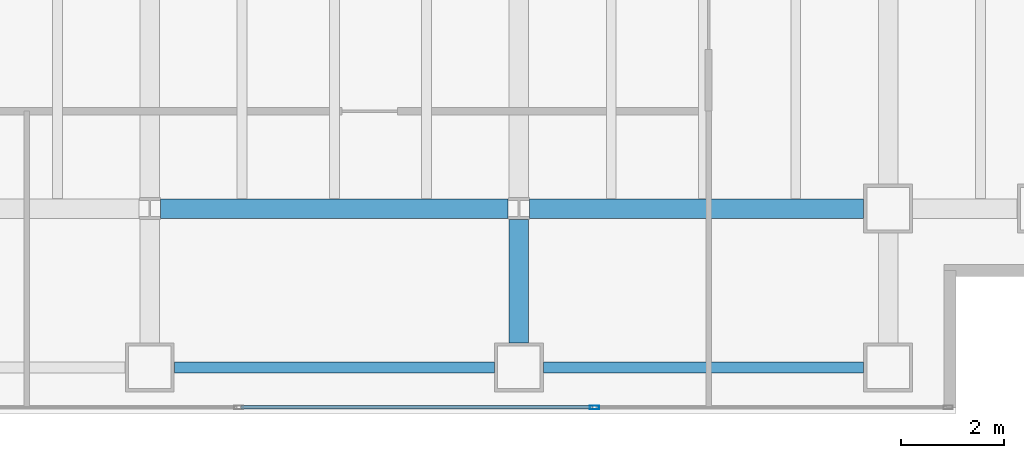
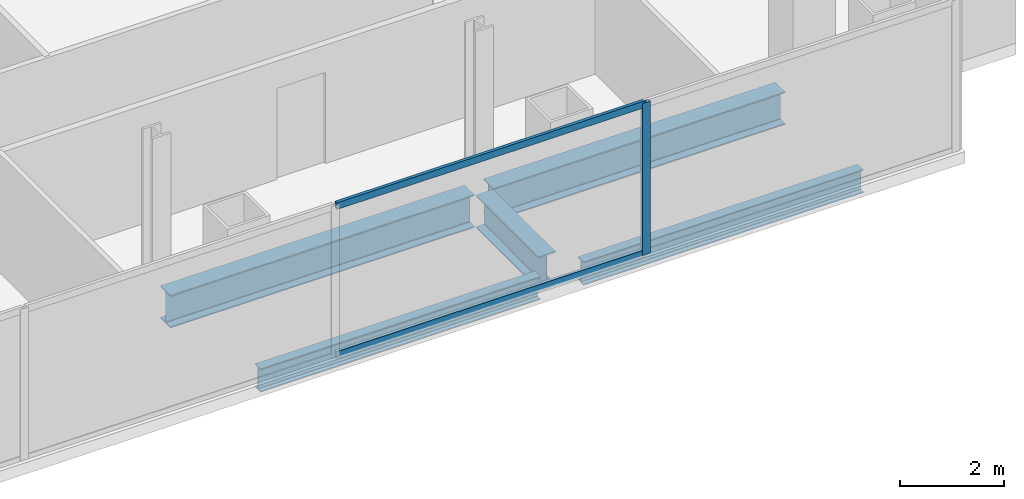
# One storey, part 9 of 23: 5 beams, 3 members, 1 element without a shape of its own.
"""IFC4 building model written with IfcOpenShell, lengths in metres."""

import ifcopenshell
import ifcopenshell.guid

model = None  # the IFC model being written
_history = None  # IfcOwnerHistory: only IFC2X3 demands one
_inside = {}  # id of a spatial element -> (the spatial element, [elements in it])
_under = {}  # id of a project, library or spatial element -> (it, [spatial elements below it])
_declared = {}  # id of a project -> (the project, [libraries it declares])
_typed = {}  # id of a type object -> (the type object, [elements of that type])
_made_of = {}  # id of a material, layer set ... -> (it, [elements and type objects made of it])


def new_model(schema):
    """Start an empty IFC model of exactly this schema.

    Asked for "IFC4X3", IfcOpenShell would pick the latest addendum, in which some entities
    have other attributes; the version numbers below select the first issue.
    IFC2X3 requires an IfcOwnerHistory on every rooted entity: one is made here for all.
    """
    global model, _history
    if schema == "IFC4X3":
        model = ifcopenshell.file(schema_version=(4, 3, 0, 0))
    else:
        model = ifcopenshell.file(schema=schema)
    _inside.clear()
    _under.clear()
    _declared.clear()
    _typed.clear()
    _made_of.clear()
    _history = None
    if model.schema == "IFC2X3":
        org = make("IfcOrganization", Name="unknown")
        user = make(
            "IfcPersonAndOrganization",
            ThePerson=make("IfcPerson", FamilyName="unknown"),
            TheOrganization=org,
        )
        app = make(
            "IfcApplication",
            ApplicationDeveloper=org,
            Version="unknown",
            ApplicationFullName="unknown",
            ApplicationIdentifier="unknown",
        )
        _history = make(
            "IfcOwnerHistory",
            OwningUser=user,
            OwningApplication=app,
            ChangeAction="ADDED",
            CreationDate=0,
        )
    return model


def make(cls, **values):
    """One entity of the class cls with the attributes given. An attribute that is None is left unset."""
    return model.create_entity(
        cls, **{name: value for name, value in values.items() if value is not None}
    )


def rooted(cls, **values):
    """An entity with a GlobalId (a new one), such as an element, a storey or a relation."""
    return make(cls, GlobalId=ifcopenshell.guid.new(), OwnerHistory=_history, **values)


def si_unit(unit_type, name, prefix=None):
    """IfcSIUnit, for example si_unit("LENGTHUNIT", "METRE", prefix="MILLI")."""
    return make("IfcSIUnit", UnitType=unit_type, Prefix=prefix, Name=name)


def assignment(units):
    """IfcUnitAssignment: the units of a project."""
    return None if units is None else make("IfcUnitAssignment", Units=units)


def point(xyz):
    """IfcCartesianPoint."""
    return None if xyz is None else make("IfcCartesianPoint", Coordinates=xyz)


def direction(xyz):
    """IfcDirection."""
    return None if xyz is None else make("IfcDirection", DirectionRatios=xyz)


def frame(location, z_axis=None, x_axis=None):
    """IfcAxis2Placement3D, a coordinate frame: its origin and axes. An axis left out is left unset."""
    return make(
        "IfcAxis2Placement3D",
        Location=point(location),
        Axis=direction(z_axis),
        RefDirection=direction(x_axis),
    )


def frame_2d(location, x_axis=None):
    """IfcAxis2Placement2D, a coordinate frame in the plane: its origin and x axis."""
    return make(
        "IfcAxis2Placement2D", Location=point(location), RefDirection=direction(x_axis)
    )


def origin():
    """The frame at (0, 0, 0) with its axes left unset."""
    return frame((0.0, 0.0, 0.0))


def origin_2d():
    """The frame at (0, 0) in the plane with its x axis left unset."""
    return frame_2d((0.0, 0.0))


def place(relative_to, where):
    """IfcLocalPlacement: puts the frame where relative to a parent placement (None: the world)."""
    return make(
        "IfcLocalPlacement", PlacementRelTo=relative_to, RelativePlacement=where
    )


def context(
    kind, dimensions, precision=None, world=None, true_north=None, identifier=None
):
    """IfcGeometricRepresentationContext, for example the 3D "Model" context."""
    return make(
        "IfcGeometricRepresentationContext",
        ContextIdentifier=identifier,
        ContextType=kind,
        CoordinateSpaceDimension=dimensions,
        Precision=precision,
        WorldCoordinateSystem=world,
        TrueNorth=true_north,
    )


def subcontext(parent, identifier, kind, view, scale=None):
    """IfcGeometricRepresentationSubContext, for example "Body" below "Model"."""
    return make(
        "IfcGeometricRepresentationSubContext",
        ContextIdentifier=identifier,
        ContextType=kind,
        ParentContext=parent,
        TargetScale=scale,
        TargetView=view,
    )


def project(units=None, contexts=None):
    """IfcProject with its units and contexts."""
    return rooted(
        "IfcProject",
        Name="project",
        RepresentationContexts=contexts,
        UnitsInContext=assignment(units),
    )


def spatial(cls, under=None, at=None, **own):
    """A site, building, storey or space (cls), placed at a placement, below another one or the project."""
    s = rooted(cls, ObjectPlacement=at, **own)
    if under is not None:
        _under.setdefault(under.id(), (under, []))[1].append(s)
    return s


def profile(cls, at=None, kind="AREA", **sizes):
    """A parametric profile (cls). Its sizes go by their IFC names, for example OverallWidth=200.0."""
    return make(cls, ProfileType=kind, Position=at, **sizes)


def hollow_rectangle(**sizes):
    """IfcRectangleHollowProfileDef."""
    return profile("IfcRectangleHollowProfileDef", **sizes)


def i_section(**sizes):
    """IfcIShapeProfileDef."""
    return profile("IfcIShapeProfileDef", **sizes)


def extrude(swept, where, along, depth):
    """IfcExtrudedAreaSolid: the profile swept, set in the frame where, extruded along a direction by depth."""
    return make(
        "IfcExtrudedAreaSolid",
        SweptArea=swept,
        Position=where,
        ExtrudedDirection=direction(along),
        Depth=depth,
    )


def shape(context_of_items, identifier, shape_type, items):
    """IfcShapeRepresentation: the items that make up one representation, for example the "Body"."""
    return make(
        "IfcShapeRepresentation",
        ContextOfItems=context_of_items,
        RepresentationIdentifier=identifier,
        RepresentationType=shape_type,
        Items=items,
    )


def material(Name=None, Category=None):
    """IfcMaterial."""
    return make("IfcMaterial", Name=Name, Category=Category)


def material_profile(
    of_material, cross_section, Name=None, Category=None, Priority=None
):
    """IfcMaterialProfile: a cross section and its material."""
    return make(
        "IfcMaterialProfile",
        Name=Name,
        Material=of_material,
        Profile=cross_section,
        Priority=Priority,
        Category=Category,
    )


def profile_set(profiles, Name=None, composite=None):
    """IfcMaterialProfileSet."""
    return make(
        "IfcMaterialProfileSet",
        Name=Name,
        MaterialProfiles=profiles,
        CompositeProfile=composite,
    )


def made_of(thing, what):
    """Note that an element or type object is made of a material, layer set ...; save() writes the relation."""
    if what is not None:
        _made_of.setdefault(what.id(), (what, []))[1].append(thing)
    return thing


def type_object(cls, material=None, **own):
    """A type object (cls), such as IfcWallType, which elements share."""
    return made_of(rooted(cls, **own), material)


def element(
    cls,
    number,
    at=None,
    inside=None,
    cuts=None,
    type_object=None,
    material=None,
    context=None,
    identifier="Body",
    shape_type=None,
    held_by="IfcProductDefinitionShape",
    body=None,
    shapes=None,
    **own,
):
    """One element of the class cls, such as IfcWall. Its Tag is "e" and its number.

    at: its placement. inside: the storey or other place that contains it. cuts: it is an
    opening in that element (IfcRelVoidsElement). A single representation is given by context,
    identifier, shape_type and body (its items); several are given by shapes. held_by: the class
    of the entity that holds the representations. save() writes the other relations.
    """
    e = rooted(cls, Tag="e%d" % number, ObjectPlacement=at, **own)
    if body is not None:
        shapes = [shape(context, identifier, shape_type, body)]
    if shapes is not None:
        e.Representation = make(held_by, Representations=shapes)
    if inside is not None:
        _inside.setdefault(inside.id(), (inside, []))[1].append(e)
    if cuts is not None:
        rooted(
            "IfcRelVoidsElement", RelatingBuildingElement=cuts, RelatedOpeningElement=e
        )
    if type_object is not None:
        _typed.setdefault(type_object.id(), (type_object, []))[1].append(e)
    return made_of(e, material)


def aggregate(whole, parts):
    """IfcRelAggregates: a whole, such as a stair, and the parts it consists of."""
    return rooted("IfcRelAggregates", RelatingObject=whole, RelatedObjects=parts)


def save(model, path):
    """Write the relations noted so far, then the file.

    IfcRelAggregates (storeys below a building ...), IfcRelContainedInSpatialStructure (elements
    in a storey), IfcRelDefinesByType, IfcRelAssociatesMaterial and IfcRelDeclares: one each for
    every whole, place, type object, material and project.
    """
    for whole, parts in _under.values():
        aggregate(whole, parts)
    for where, things in _inside.values():
        rooted(
            "IfcRelContainedInSpatialStructure",
            RelatedElements=things,
            RelatingStructure=where,
        )
    for kind, things in _typed.values():
        rooted("IfcRelDefinesByType", RelatedObjects=things, RelatingType=kind)
    for what, things in _made_of.values():
        rooted("IfcRelAssociatesMaterial", RelatedObjects=things, RelatingMaterial=what)
    for by, libraries in _declared.values():
        rooted("IfcRelDeclares", RelatingContext=by, RelatedDefinitions=libraries)
    model.write(path)


model = new_model("IFC4")

# Units and contexts
model_context = context("Model", 3, precision=1e-05, world=origin(), true_north=direction((0.0, 1.0)))
body_context = subcontext(model_context, "Body", "Model", "MODEL_VIEW")
ifc_project = project(units=[si_unit("LENGTHUNIT", "METRE"), si_unit("AREAUNIT", "SQUARE_METRE"), si_unit("VOLUMEUNIT", "CUBIC_METRE"), si_unit("PLANEANGLEUNIT", "RADIAN"), si_unit("MASSUNIT", "GRAM", prefix="KILO")], contexts=[model_context])

# Site, building, storey
site_placement = place(None, origin())
site = spatial("IfcSite", under=ifc_project, at=site_placement, CompositionType="ELEMENT")
building_placement = place(site_placement, origin())
building = spatial("IfcBuilding", under=site, at=building_placement, Name="Cobrela Telecom Tower", CompositionType="ELEMENT")
storey_placement = place(building_placement, frame((0.0, 0.0, 102.199951171875)))
storey = spatial("IfcBuildingStorey", under=building, at=storey_placement, Name="L25", CompositionType="ELEMENT", Elevation=102.199951171875)

# Beams
ifc_material_1 = material(Name="Steel ASTM A992 Grade 50", Category="steel")
ifc_material_profile_1 = material_profile(ifc_material_1, i_section(OverallWidth=0.381103515625, OverallDepth=0.77197265625, WebThickness=0.0166015625, FlangeThickness=0.027099609375, FilletRadius=0.01904296875, at=origin_2d()), Name="W30X173")
ifc_profile_set_1 = profile_set([ifc_material_profile_1], Name="Steel ASTM A992 Grade 50")
beam_type_1 = type_object("IfcBeamType", Name="BM-GIRD-04", PredefinedType="USERDEFINED", material=ifc_profile_set_1)
beam_1_placement = place(storey_placement, frame((29.009521484375, 7.199951171875, -0.656005859375), z_axis=(1.0, 0.0, 0.0), x_axis=(0.0, 1.0, 0.0)))
element("IfcBeam", 1, at=beam_1_placement, inside=storey, type_object=beam_type_1, Name="L25 Primary Girder X10", ObjectType="GIRDER", PredefinedType="USERDEFINED", context=body_context, shape_type="SweptSolid", body=[
    extrude(i_section(OverallWidth=0.381103515625, OverallDepth=0.77197265625, WebThickness=0.0166015625, FlangeThickness=0.027099609375, FilletRadius=0.01904296875, at=origin_2d()), origin(), (0.0, 0.0, 1.0), 6.781005859375),
])
beam_2_placement = place(storey_placement, frame((36.20947265625, 7.199951171875, -0.656005859375), z_axis=(1.0, 0.0, 0.0), x_axis=(0.0, 1.0, 0.0)))
element("IfcBeam", 2, at=beam_2_placement, inside=storey, type_object=beam_type_1, Name="L25 Primary Girder X11", ObjectType="GIRDER", PredefinedType="USERDEFINED", context=body_context, shape_type="SweptSolid", body=[
    extrude(i_section(OverallWidth=0.381103515625, OverallDepth=0.77197265625, WebThickness=0.0166015625, FlangeThickness=0.027099609375, FilletRadius=0.01904296875, at=origin_2d()), origin(), (0.0, 0.0, 1.0), 6.510498046875),
])
beam_3_placement = place(storey_placement, frame((36.0, 4.580078125, -0.656005859375), z_axis=(0.0, 1.0, 0.0), x_axis=(-1.0, 0.0, 0.0)))
element("IfcBeam", 3, at=beam_3_placement, inside=storey, type_object=beam_type_1, Name="L25 Primary Girder Y49", ObjectType="GIRDER", PredefinedType="USERDEFINED", context=body_context, shape_type="SweptSolid", body=[
    extrude(i_section(OverallWidth=0.381103515625, OverallDepth=0.77197265625, WebThickness=0.0166015625, FlangeThickness=0.027099609375, FilletRadius=0.01904296875, at=origin_2d()), origin(), (0.0, 0.0, 1.0), 2.410400390625),
])
ifc_material_profile_2 = material_profile(ifc_material_1, i_section(OverallWidth=0.212890625, OverallDepth=0.549072265625, WebThickness=0.0146484375, FlangeThickness=0.023681640625, FilletRadius=0.013916015625, at=origin_2d()), Name="W21X93")
ifc_profile_set_2 = profile_set([ifc_material_profile_2], Name="Steel ASTM A992 Grade 50")
beam_type_2 = type_object("IfcBeamType", Name="BM-SPAND-03", PredefinedType="SPANDREL", material=ifc_profile_set_2)
for number, where, z_axis, x_axis, name in (
    (4, (29.280029296875, 4.10009765625, -0.54443359375), (1.0, 0.0, 0.0), (0.0, 1.0, 0.0), "L25 Perimeter Spandrel X04"),
    (5, (36.47998046875, 4.10009765625, -0.54443359375), (1.0, 0.0, 0.0), (0.0, 1.0, 0.0), "L25 Perimeter Spandrel X05"),
):
    element("IfcBeam", number, at=place(storey_placement, frame(where, z_axis=z_axis, x_axis=x_axis)), inside=storey, type_object=beam_type_2, Name=name, PredefinedType="SPANDREL", context=body_context, shape_type="SweptSolid", body=[
        extrude(i_section(OverallWidth=0.212890625, OverallDepth=0.549072265625, WebThickness=0.0146484375, FlangeThickness=0.023681640625, FilletRadius=0.013916015625, at=origin_2d()), origin(), (0.0, 0.0, 1.0), 6.239990234375),
    ])

# Curtain wall, members
ifc_material_2 = material(Name="Anodized Bronze Aluminium 6063-T6", Category="aluminium")
curtain_wall_type = type_object("IfcCurtainWallType", Name="CW-SYS-TEL", PredefinedType="USERDEFINED", material=ifc_material_2)
curtain_wall_placement = place(storey_placement, origin())
curtain_wall = element("IfcCurtainWall", 6, at=curtain_wall_placement, inside=storey, type_object=curtain_wall_type, Name="L25 Unitised Bronze Curtain Wall 17", ObjectType="UNITISED CURTAIN WALL", PredefinedType="USERDEFINED")
ifc_material_profile_3 = material_profile(ifc_material_2, hollow_rectangle(XDim=0.074951171875, YDim=0.179931640625, WallThickness=0.00390625, at=origin_2d()), Name="ALU 75x180x4")
ifc_profile_set_3 = profile_set([ifc_material_profile_3], Name="Anodized Bronze Aluminium 6063-T6")
member_type_1 = type_object("IfcMemberType", Name="CW-SYS-TEL-MUL", PredefinedType="MULLION", material=ifc_profile_set_3)
member_1_placement = place(storey_placement, frame((37.473388671875, 3.320068359375, 0.0), z_axis=(0.0, 0.0, 1.0), x_axis=(0.0, -1.0, 0.0)))
member_1 = element("IfcMember", 7, at=member_1_placement, type_object=member_type_1, Name="CW-TEL mullion 2", PredefinedType="MULLION", context=body_context, shape_type="SweptSolid", body=[
    extrude(hollow_rectangle(XDim=0.074951171875, YDim=0.179931640625, WallThickness=0.00390625, at=origin_2d()), origin(), (0.0, 0.0, 1.0), 3.580078125),
])
ifc_material_profile_4 = material_profile(ifc_material_2, hollow_rectangle(XDim=0.070068359375, YDim=0.159912109375, WallThickness=0.00390625, at=origin_2d()), Name="ALU 70x160x4")
ifc_profile_set_4 = profile_set([ifc_material_profile_4], Name="Anodized Bronze Aluminium 6063-T6")
member_type_2 = type_object("IfcMemberType", Name="CW-SYS-TEL-TRN", PredefinedType="USERDEFINED", material=ifc_profile_set_4)
member_2_placement = place(storey_placement, frame((37.435791015625, 3.320068359375, 0.03515625), z_axis=(-1.0, 0.0, 0.0), x_axis=(0.0, -1.0, 0.0)))
member_2 = element("IfcMember", 8, at=member_2_placement, type_object=member_type_2, Name="CW-TEL transom 2.1", ObjectType="TRANSOM", PredefinedType="USERDEFINED", context=body_context, shape_type="SweptSolid", body=[
    extrude(hollow_rectangle(XDim=0.070068359375, YDim=0.159912109375, WallThickness=0.00390625, at=origin_2d()), origin(), (0.0, 0.0, 1.0), 6.861572265625),
])
member_3_placement = place(storey_placement, frame((37.435791015625, 3.320068359375, 3.545166015625), z_axis=(-1.0, 0.0, 0.0), x_axis=(0.0, -1.0, 0.0)))
member_3 = element("IfcMember", 9, at=member_3_placement, type_object=member_type_2, Name="CW-TEL transom 2.2", ObjectType="TRANSOM", PredefinedType="USERDEFINED", context=body_context, shape_type="SweptSolid", body=[
    extrude(hollow_rectangle(XDim=0.070068359375, YDim=0.159912109375, WallThickness=0.00390625, at=origin_2d()), origin(), (0.0, 0.0, 1.0), 6.861572265625),
])
aggregate(curtain_wall, [member_1, member_2, member_3])

save(model, "model.ifc")
